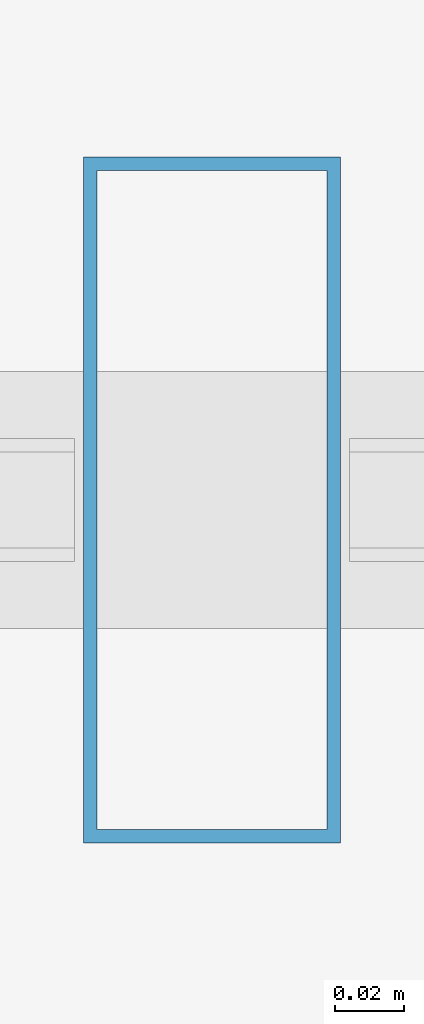
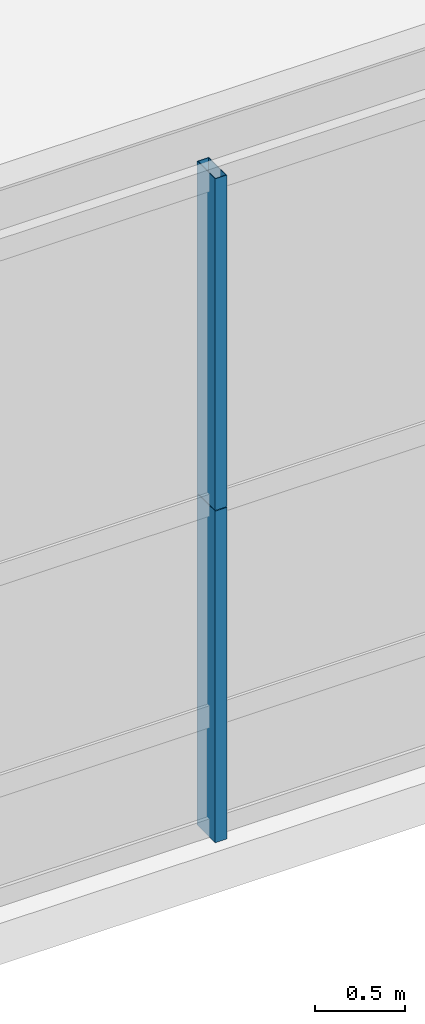
# One storey, part 7 of 38: 2 members, 1 element without a shape of its own.
"""IFC4 building model written with IfcOpenShell, lengths in metres."""

from ifc_helpers import new_model, si_unit, direction, frame, origin, origin_2d, place, context, subcontext, project, spatial, hollow_rectangle, extrude, source, transform, mapped, material, layer, layer_set, material_profile, profile_set, type_object, element, aggregate, save


model = new_model("IFC4")

# Units and contexts
model_context = context("Model", 3, precision=1e-05, world=origin(), true_north=direction((0.0, 1.0)))
body_context = subcontext(model_context, "Body", "Model", "MODEL_VIEW")
ifc_project = project(units=[si_unit("LENGTHUNIT", "METRE"), si_unit("AREAUNIT", "SQUARE_METRE"), si_unit("VOLUMEUNIT", "CUBIC_METRE"), si_unit("PLANEANGLEUNIT", "RADIAN"), si_unit("MASSUNIT", "GRAM", prefix="KILO"), si_unit("THERMODYNAMICTEMPERATUREUNIT", "KELVIN"), si_unit("POWERUNIT", "WATT")], contexts=[model_context])

# Site, building, storey
site_placement = place(None, origin())
site = spatial("IfcSite", under=ifc_project, at=site_placement, CompositionType="ELEMENT")
building_placement = place(site_placement, origin())
building = spatial("IfcBuilding", under=site, at=building_placement, Name="Yuzanri Waterfront Tower", CompositionType="ELEMENT")
storey_placement = place(building_placement, frame((0.0, 0.0, 10.199951171875)))
storey = spatial("IfcBuildingStorey", under=building, at=storey_placement, Name="L03", CompositionType="ELEMENT", Elevation=10.199951171875)

# Curtain wall, members
ifc_material_1 = material(Name="Anodized Architectural Bronze", Category="metal")
ifc_layer = layer(ifc_material_1, 0.159912109375)
ifc_layer_set = layer_set([ifc_layer], Name="Anodized Architectural Bronze")
curtain_wall_type = type_object("IfcCurtainWallType", Name="Anodized Bronze Podium Waterfront Double-Height Unitized Curtain Wall 8400", PredefinedType="NOTDEFINED", material=ifc_layer_set)
curtain_wall_placement = place(storey_placement, origin())
curtain_wall = element("IfcCurtainWall", 1, at=curtain_wall_placement, inside=storey, type_object=curtain_wall_type, Name="L03 Curtain Wall CW-L03-S1", PredefinedType="NOTDEFINED")
ifc_material_2 = material(Name="Anodized Architectural Bronze", Category="metal")
ifc_material_profile = material_profile(ifc_material_2, hollow_rectangle(XDim=0.074951171875, YDim=0.199951171875, WallThickness=0.00390625, at=origin_2d()), Name="CWM 75x200")
ifc_profile_set = profile_set([ifc_material_profile], Name="Anodized Architectural Bronze")
member_type = type_object("IfcMemberType", Name="Anodized Bronze Primary Curtain-Wall Mullion 75x200", PredefinedType="MULLION", material=ifc_profile_set)
shared_shape = source(origin(), body_context, "Body", "SweptSolid", [
    extrude(hollow_rectangle(XDim=0.074951171875, YDim=0.199951171875, WallThickness=0.00390625, at=origin_2d()), origin(), (0.0, 0.0, 1.0), 2.258056640625),
])
member_1_placement = place(storey_placement, frame((26.25, 1.97998046875, 0.0), z_axis=(0.0, 0.0, 1.0), x_axis=(1.0, 0.0, 0.0)))
member_1 = element("IfcMember", 2, at=member_1_placement, type_object=member_type, Name="CW-L03-S1 Lower Mullion 01", PredefinedType="MULLION", context=body_context, shape_type="MappedRepresentation", body=[
    mapped(shared_shape, transform((0.0, 0.0, 0.0), scale=1.0)),
])
member_2_placement = place(storey_placement, frame((26.25, 1.97998046875, 2.261962890625), z_axis=(0.0, 0.0, 1.0), x_axis=(1.0, 0.0, 0.0)))
member_2 = element("IfcMember", 3, at=member_2_placement, type_object=member_type, Name="CW-L03-S1 Upper Mullion 01", PredefinedType="MULLION", context=body_context, shape_type="MappedRepresentation", body=[
    mapped(shared_shape, transform((0.0, 0.0, 0.0), scale=1.0)),
])
aggregate(curtain_wall, [member_1, member_2])

save(model, "model.ifc")
